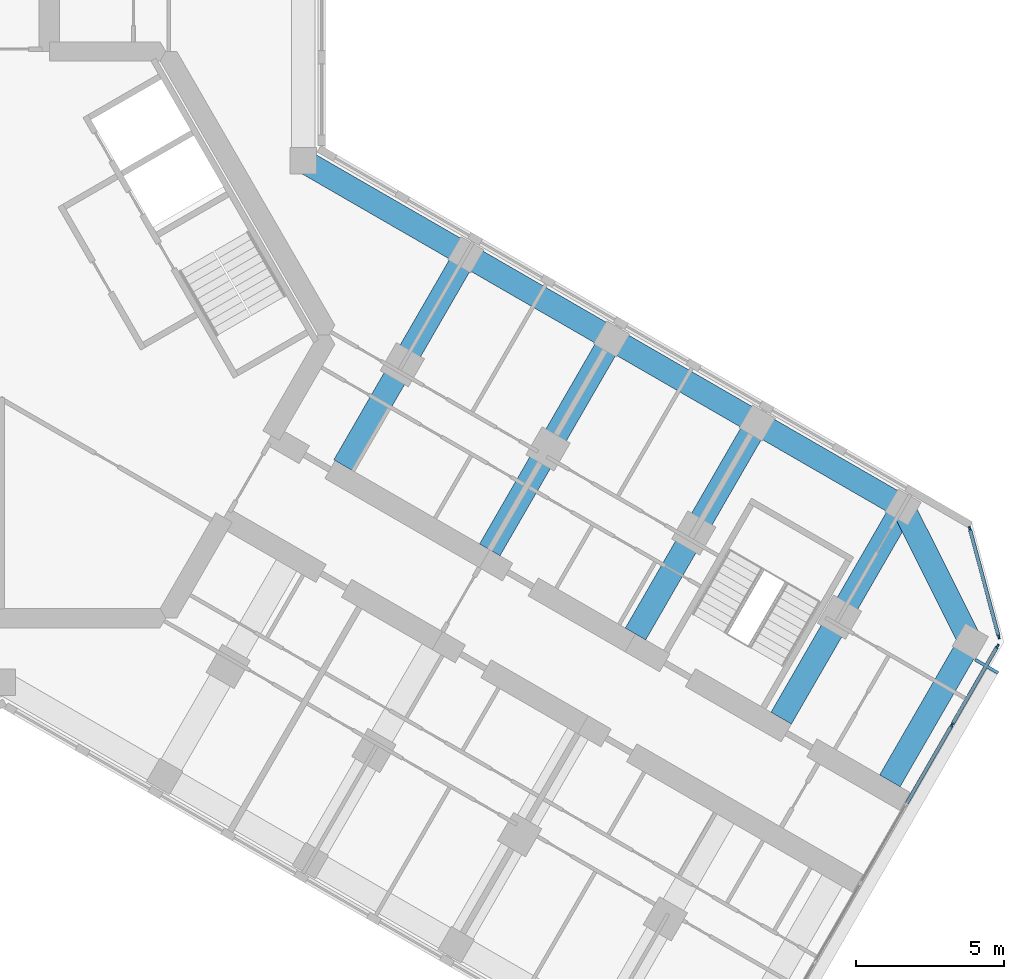
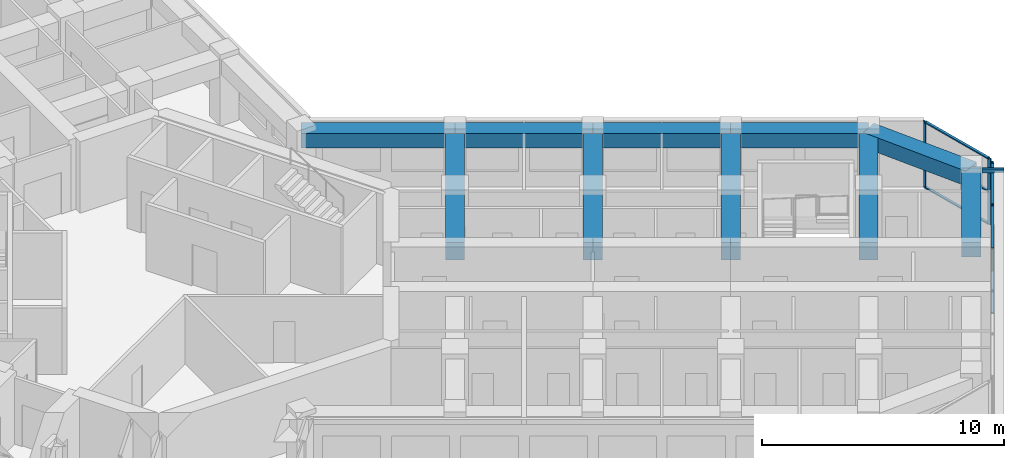
# One storey, part 5 of 16: 12 members, 10 beams, 2 elements without a shape of their own.
"""IFC4 building model written with IfcOpenShell, lengths in metres."""

from ifc_helpers import new_model, si_unit, direction, frame, origin, origin_2d, place, context, subcontext, project, spatial, rectangle, hollow_rectangle, extrude, material, material_profile, profile_set, type_object, element, aggregate, save


model = new_model("IFC4")

# Units and contexts
model_context = context("Model", 3, precision=1e-05, world=origin(), true_north=direction((0.0, 1.0)))
body_context = subcontext(model_context, "Body", "Model", "MODEL_VIEW")
ifc_project = project(units=[si_unit("LENGTHUNIT", "METRE"), si_unit("AREAUNIT", "SQUARE_METRE"), si_unit("VOLUMEUNIT", "CUBIC_METRE"), si_unit("PLANEANGLEUNIT", "RADIAN"), si_unit("MASSUNIT", "GRAM", prefix="KILO")], contexts=[model_context])

# Site, building, storey
site_placement = place(None, origin())
site = spatial("IfcSite", under=ifc_project, at=site_placement, CompositionType="ELEMENT")
building_placement = place(site_placement, origin())
building = spatial("IfcBuilding", under=site, at=building_placement, Name="Kosmar Iwan School Tower", CompositionType="ELEMENT")
storey_placement = place(building_placement, frame((0.0, 0.0, 215.39990234375)))
storey = spatial("IfcBuildingStorey", under=building, at=storey_placement, Name="L54", CompositionType="ELEMENT", Elevation=215.39990234375)

# Member
ifc_material_1 = material(Name="Steel S355", Category="steel")
ifc_material_profile_1 = material_profile(ifc_material_1, hollow_rectangle(XDim=0.10009765625, YDim=0.199951171875, WallThickness=0.008056640625, at=origin_2d()), Name="RHS 200x100x8")
ifc_profile_set_1 = profile_set([ifc_material_profile_1], Name="Steel S355")
member_type_1 = type_object("IfcMemberType", Name="Fin bracket RHS 200x100", PredefinedType="USERDEFINED", material=ifc_profile_set_1)
member_1_placement = place(storey_placement, frame((32.963134765625, -11.006103515625, 3.47509765625), z_axis=(0.866081705922, -0.499902469156, 0.0), x_axis=(0.499902469156, 0.866081705922, 0.0)))
element("IfcMember", 1, at=member_1_placement, inside=storey, type_object=member_type_1, Name="Fin bracket L55", ObjectType="FIN BRACKET", PredefinedType="USERDEFINED", context=body_context, shape_type="SweptSolid", body=[
    extrude(hollow_rectangle(XDim=0.10009765625, YDim=0.199951171875, WallThickness=0.008056640625, at=origin_2d()), origin(), (0.0, 0.0, 1.0), 0.900146484375),
])

# Curtain wall, members
ifc_material_2 = material(Name="Dark glass in black aluminium frame", Category="aluminium")
curtain_wall_type_1 = type_object("IfcCurtainWallType", Name="Tower curtain wall dark glass", PredefinedType="USERDEFINED", material=ifc_material_2)
curtain_wall_1_placement = place(storey_placement, origin())
curtain_wall_1 = element("IfcCurtainWall", 2, at=curtain_wall_1_placement, inside=storey, type_object=curtain_wall_type_1, Name="Curtain wall L54-F01", ObjectType="UNITISED CURTAIN WALL", PredefinedType="USERDEFINED")
ifc_material_3 = material(Name="Black anodised aluminium", Category="aluminium")
ifc_material_profile_2 = material_profile(ifc_material_3, rectangle(XDim=0.06005859375, YDim=0.159912109375, at=origin_2d()), Name="MULLION 60x160")
ifc_profile_set_2 = profile_set([ifc_material_profile_2], Name="Black anodised aluminium")
member_type_2 = type_object("IfcMemberType", Name="Mullion 60x160", PredefinedType="MULLION", material=ifc_profile_set_2)
member_2_placement = place(storey_placement, frame((32.1806640625, -13.21142578125, 0.0), z_axis=(0.0, 0.0, 1.0), x_axis=(-0.866025405329, 0.499999997325, 0.0)))
member_2 = element("IfcMember", 3, at=member_2_placement, type_object=member_type_2, Name="CW1 mullion 5", PredefinedType="MULLION", context=body_context, shape_type="SweptSolid", body=[
    extrude(rectangle(XDim=0.06005859375, YDim=0.159912109375, at=origin_2d()), origin(), (0.0, 0.0, 1.0), 3.35009765625),
])
member_3_placement = place(storey_placement, frame((33.71533203125, -10.55322265625, 0.0), z_axis=(0.0, 0.0, 1.0), x_axis=(-0.866025405329, 0.499999997325, 0.0)))
member_3 = element("IfcMember", 4, at=member_3_placement, type_object=member_type_2, Name="CW1 mullion 6", PredefinedType="MULLION", context=body_context, shape_type="SweptSolid", body=[
    extrude(rectangle(XDim=0.06005859375, YDim=0.159912109375, at=origin_2d()), origin(), (0.0, 0.0, 1.0), 3.35009765625),
])

ifc_material_4 = material(Name="Dark glass in black aluminium frame", Category="aluminium")
curtain_wall_type_2 = type_object("IfcCurtainWallType", Name="Chamfer curtain wall dark glass", PredefinedType="USERDEFINED", material=ifc_material_4)
curtain_wall_2_placement = place(storey_placement, origin())
curtain_wall_2 = element("IfcCurtainWall", 5, at=curtain_wall_2_placement, inside=storey, type_object=curtain_wall_type_2, Name="Curtain wall L54-F02", ObjectType="FACETED CURTAIN WALL", PredefinedType="USERDEFINED")
member_4_placement = place(storey_placement, frame((33.7587890625, -10.2236328125, 0.0), z_axis=(0.0, 0.0, 1.0), x_axis=(-0.965925875495, -0.258818861462, 0.0)))
member_4 = element("IfcMember", 6, at=member_4_placement, type_object=member_type_2, Name="CW2 mullion 1", PredefinedType="MULLION", context=body_context, shape_type="SweptSolid", body=[
    extrude(rectangle(XDim=0.06005859375, YDim=0.159912109375, at=origin_2d()), origin(), (0.0, 0.0, 1.0), 3.35009765625),
])
member_5_placement = place(storey_placement, frame((32.78076171875, -6.5732421875, 0.0), z_axis=(0.0, 0.0, 1.0), x_axis=(-0.965925875495, -0.258818861462, 0.0)))
member_5 = element("IfcMember", 7, at=member_5_placement, type_object=member_type_2, Name="CW2 mullion 2", PredefinedType="MULLION", context=body_context, shape_type="SweptSolid", body=[
    extrude(rectangle(XDim=0.06005859375, YDim=0.159912109375, at=origin_2d()), origin(), (0.0, 0.0, 1.0), 3.35009765625),
])

# Beams
ifc_material_5 = material(Name="Concrete C50/60", Category="concrete")
ifc_material_profile_3 = material_profile(ifc_material_5, rectangle(XDim=0.800048828125, YDim=0.75, at=origin_2d()), Name="RC 800x750")
ifc_profile_set_3 = profile_set([ifc_material_profile_3], Name="Concrete C50/60")
beam_type_1 = type_object("IfcBeamType", Name="RC edge beam 800x750", PredefinedType="BEAM", material=ifc_profile_set_3)
beam_1_placement = place(storey_placement, frame((10.199951171875, 5.888916015625, 2.97509765625), z_axis=(0.866030912664, -0.49999045822, 0.0), x_axis=(0.49999045822, 0.866030912664, 0.0)))
element("IfcBeam", 8, at=beam_1_placement, inside=storey, type_object=beam_type_1, Name="Edge beam CL1", PredefinedType="BEAM", context=body_context, shape_type="SweptSolid", body=[
    extrude(rectangle(XDim=0.800048828125, YDim=0.75, at=origin_2d()), origin(), (0.0, 0.0, 1.0), 6.36083984375),
])
beam_2_placement = place(storey_placement, frame((15.708740234375, 2.70849609375, 2.97509765625), z_axis=(0.866025820012, -0.499999279071, 0.0), x_axis=(0.499999279071, 0.866025820012, 0.0)))
element("IfcBeam", 9, at=beam_2_placement, inside=storey, type_object=beam_type_1, Name="Edge beam CL2", PredefinedType="BEAM", context=body_context, shape_type="SweptSolid", body=[
    extrude(rectangle(XDim=0.800048828125, YDim=0.75, at=origin_2d()), origin(), (0.0, 0.0, 1.0), 5.7001953125),
])
for number, where, z_axis, x_axis, name in (
    (10, (20.645263671875, -0.1416015625, 2.97509765625), (0.866033658841, -0.49998570155, 0.0), (0.49998570155, 0.866033658841, 0.0), "Edge beam CL3"),
    (11, (25.58154296875, -2.991455078125, 2.97509765625), (0.866015111908, -0.50001782563, 0.0), (0.50001782563, 0.866015111908, 0.0), "Edge beam CL4"),
):
    element("IfcBeam", number, at=place(storey_placement, frame(where, z_axis=z_axis, x_axis=x_axis)), inside=storey, type_object=beam_type_1, Name=name, PredefinedType="BEAM", context=body_context, shape_type="SweptSolid", body=[
        extrude(rectangle(XDim=0.800048828125, YDim=0.75, at=origin_2d()), origin(), (0.0, 0.0, 1.0), 5.699951171875),
    ])
ifc_material_6 = material(Name="Concrete C50/60", Category="concrete")
ifc_material_profile_4 = material_profile(ifc_material_6, rectangle(XDim=0.800048828125, YDim=0.75, at=origin_2d()), Name="RC 800x750")
ifc_profile_set_4 = profile_set([ifc_material_profile_4], Name="Concrete C50/60")
beam_type_2 = type_object("IfcBeamType", Name="RC tip beam 800x750", PredefinedType="BEAM", material=ifc_profile_set_4)
beam_3_placement = place(storey_placement, frame((30.517822265625, -5.841552734375, 2.97509765625), z_axis=(0.44809604203, -0.893985423325, 0.0), x_axis=(0.893985423325, 0.44809604203, 0.0)))
element("IfcBeam", 12, at=beam_3_placement, inside=storey, type_object=beam_type_2, Name="Tip beam CL", PredefinedType="BEAM", context=body_context, shape_type="SweptSolid", body=[
    extrude(rectangle(XDim=0.800048828125, YDim=0.75, at=origin_2d()), origin(), (0.0, 0.0, 1.0), 5.08935546875),
])
beam_4_placement = place(storey_placement, frame((32.79833984375, -10.391357421875, 2.97509765625), z_axis=(-0.49996933381, -0.866043108194, 0.0), x_axis=(0.866043108194, -0.49996933381, 0.0)))
element("IfcBeam", 13, at=beam_4_placement, inside=storey, type_object=beam_type_2, Name="Tip beam CL to corridor wall", PredefinedType="BEAM", context=body_context, shape_type="SweptSolid", body=[
    extrude(rectangle(XDim=0.800048828125, YDim=0.75, at=origin_2d()), origin(), (0.0, 0.0, 1.0), 5.449951171875),
])
ifc_material_7 = material(Name="Concrete C50/60", Category="concrete")
ifc_material_profile_5 = material_profile(ifc_material_7, rectangle(XDim=0.800048828125, YDim=0.89990234375, at=origin_2d()), Name="RC 800x900")
ifc_profile_set_5 = profile_set([ifc_material_profile_5], Name="Concrete C50/60")
beam_type_3 = type_object("IfcBeamType", Name="RC transverse beam 800x900", PredefinedType="BEAM", material=ifc_profile_set_5)
beam_5_placement = place(storey_placement, frame((15.708740234375, 2.70849609375, 2.900146484375), z_axis=(-0.499996545922, -0.866027397988, 0.0), x_axis=(0.866027397988, -0.499996545922, 0.0)))
element("IfcBeam", 14, at=beam_5_placement, inside=storey, type_object=beam_type_3, Name="Transverse beam CL1", PredefinedType="BEAM", context=body_context, shape_type="SweptSolid", body=[
    extrude(rectangle(XDim=0.800048828125, YDim=0.89990234375, at=origin_2d()), origin(), (0.0, 0.0, 1.0), 8.25),
])
beam_6_placement = place(storey_placement, frame((20.645263671875, -0.1416015625, 2.900146484375), z_axis=(-0.500009360108, -0.866019999656, 0.0), x_axis=(0.866019999656, -0.500009360108, 0.0)))
element("IfcBeam", 15, at=beam_6_placement, inside=storey, type_object=beam_type_3, Name="Transverse beam CL2", PredefinedType="BEAM", context=body_context, shape_type="SweptSolid", body=[
    extrude(rectangle(XDim=0.800048828125, YDim=0.89990234375, at=origin_2d()), origin(), (0.0, 0.0, 1.0), 8.249755859375),
])
for number, where, z_axis, x_axis, name in (
    (16, (25.58154296875, -2.991455078125, 2.900146484375), (-0.499996545922, -0.866027397988, 0.0), (0.866027397988, -0.499996545922, 0.0), "Transverse beam CL3"),
    (17, (30.517822265625, -5.841552734375, 2.900146484375), (-0.499996545922, -0.866027397988, 0.0), (0.866027397988, -0.499996545922, 0.0), "Transverse beam CL4"),
):
    element("IfcBeam", number, at=place(storey_placement, frame(where, z_axis=z_axis, x_axis=x_axis)), inside=storey, type_object=beam_type_3, Name=name, PredefinedType="BEAM", context=body_context, shape_type="SweptSolid", body=[
        extrude(rectangle(XDim=0.800048828125, YDim=0.89990234375, at=origin_2d()), origin(), (0.0, 0.0, 1.0), 8.25),
    ])

# Member
ifc_material_8 = material(Name="Black anodised aluminium", Category="aluminium")
ifc_material_profile_6 = material_profile(ifc_material_8, rectangle(XDim=0.1201171875, YDim=0.06005859375, at=origin_2d()), Name="TRANSOM 60x120")
ifc_profile_set_6 = profile_set([ifc_material_profile_6], Name="Black anodised aluminium")
member_type_3 = type_object("IfcMemberType", Name="Transom 60x120", PredefinedType="USERDEFINED", material=ifc_profile_set_6)
member_6_placement = place(storey_placement, frame((30.64599609375, -15.869384765625, 0.030029296875), z_axis=(0.500035348339, 0.866004994449, 0.0), x_axis=(-0.866004994449, 0.500035348339, 0.0)))
member_6 = element("IfcMember", 18, at=member_6_placement, type_object=member_type_3, Name="CW1 transom 4.1", ObjectType="TRANSOM", PredefinedType="USERDEFINED", context=body_context, shape_type="SweptSolid", body=[
    extrude(rectangle(XDim=0.1201171875, YDim=0.06005859375, at=origin_2d()), origin(), (0.0, 0.0, 1.0), 3.039306640625),
])

member_7_placement = place(storey_placement, frame((30.64599609375, -15.869384765625, 3.320068359375), z_axis=(0.500035348339, 0.866004994449, 0.0), x_axis=(-0.866004994449, 0.500035348339, 0.0)))
member_7 = element("IfcMember", 19, at=member_7_placement, type_object=member_type_3, Name="CW1 transom 4.2", ObjectType="TRANSOM", PredefinedType="USERDEFINED", context=body_context, shape_type="SweptSolid", body=[
    extrude(rectangle(XDim=0.1201171875, YDim=0.06005859375, at=origin_2d()), origin(), (0.0, 0.0, 1.0), 3.039306640625),
])

member_8_placement = place(storey_placement, frame((32.19580078125, -13.185302734375, 0.030029296875), z_axis=(0.500022102064, 0.866012642776, 0.0), x_axis=(-0.866012642776, 0.500022102064, 0.0)))
member_8 = element("IfcMember", 20, at=member_8_placement, type_object=member_type_3, Name="CW1 transom 5.1", ObjectType="TRANSOM", PredefinedType="USERDEFINED", context=body_context, shape_type="SweptSolid", body=[
    extrude(rectangle(XDim=0.1201171875, YDim=0.06005859375, at=origin_2d()), origin(), (0.0, 0.0, 1.0), 3.009033203125),
])

member_9_placement = place(storey_placement, frame((32.19580078125, -13.185302734375, 3.320068359375), z_axis=(0.500022102064, 0.866012642776, 0.0), x_axis=(-0.866012642776, 0.500022102064, 0.0)))
member_9 = element("IfcMember", 21, at=member_9_placement, type_object=member_type_3, Name="CW1 transom 5.2", ObjectType="TRANSOM", PredefinedType="USERDEFINED", context=body_context, shape_type="SweptSolid", body=[
    extrude(rectangle(XDim=0.1201171875, YDim=0.06005859375, at=origin_2d()), origin(), (0.0, 0.0, 1.0), 3.009033203125),
])

aggregate(curtain_wall_1, [member_2, member_3, member_6, member_7, member_8, member_9])

member_10_placement = place(storey_placement, frame((33.7509765625, -10.194580078125, 0.030029296875), z_axis=(-0.258843273983, 0.965919333854, 0.0), x_axis=(-0.965919333854, -0.258843273983, 0.0)))
member_10 = element("IfcMember", 22, at=member_10_placement, type_object=member_type_3, Name="CW2 transom 1.1", ObjectType="TRANSOM", PredefinedType="USERDEFINED", context=body_context, shape_type="SweptSolid", body=[
    extrude(rectangle(XDim=0.1201171875, YDim=0.06005859375, at=origin_2d()), origin(), (0.0, 0.0, 1.0), 3.718994140625),
])

member_11_placement = place(storey_placement, frame((33.7509765625, -10.194580078125, 1.675048828125), z_axis=(-0.258843273983, 0.965919333854, 0.0), x_axis=(-0.965919333854, -0.258843273983, 0.0)))
member_11 = element("IfcMember", 23, at=member_11_placement, type_object=member_type_3, Name="CW2 transom 1.2", ObjectType="TRANSOM", PredefinedType="USERDEFINED", context=body_context, shape_type="SweptSolid", body=[
    extrude(rectangle(XDim=0.1201171875, YDim=0.06005859375, at=origin_2d()), origin(), (0.0, 0.0, 1.0), 3.718994140625),
])

member_12_placement = place(storey_placement, frame((33.7509765625, -10.194580078125, 3.320068359375), z_axis=(-0.258843273983, 0.965919333854, 0.0), x_axis=(-0.965919333854, -0.258843273983, 0.0)))
member_12 = element("IfcMember", 24, at=member_12_placement, type_object=member_type_3, Name="CW2 transom 1.3", ObjectType="TRANSOM", PredefinedType="USERDEFINED", context=body_context, shape_type="SweptSolid", body=[
    extrude(rectangle(XDim=0.1201171875, YDim=0.06005859375, at=origin_2d()), origin(), (0.0, 0.0, 1.0), 3.718994140625),
])

aggregate(curtain_wall_2, [member_4, member_5, member_10, member_11, member_12])

save(model, "model.ifc")
